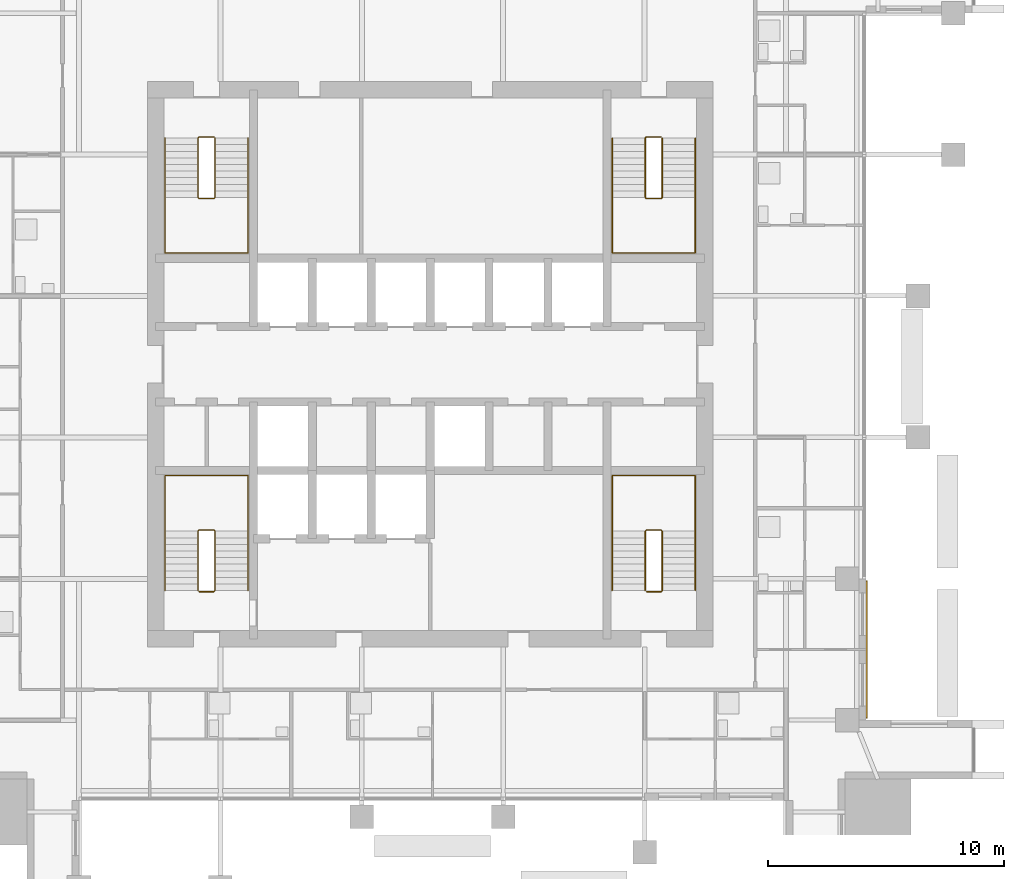
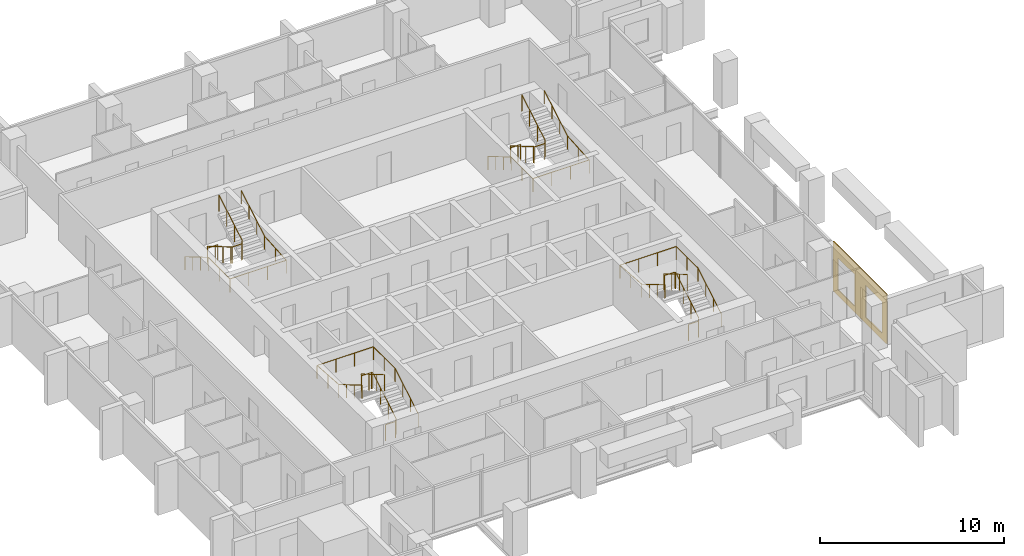
# One storey, part 13 of 14: 8 railings, 1 covering.
"""IFC4 building model written with IfcOpenShell, lengths in metres."""

from ifc_helpers import new_model, si_unit, direction, frame, origin, origin_2d, place, context, subcontext, project, spatial, polyline, circle, outline, extrude, material, layer, layer_set, type_object, element, save


model = new_model("IFC4")

# Units and contexts
model_context = context("Model", 3, precision=1e-05, world=origin(), true_north=direction((0.0, 1.0)))
body_context = subcontext(model_context, "Body", "Model", "MODEL_VIEW")
ifc_project = project(units=[si_unit("LENGTHUNIT", "METRE"), si_unit("AREAUNIT", "SQUARE_METRE"), si_unit("VOLUMEUNIT", "CUBIC_METRE"), si_unit("PLANEANGLEUNIT", "RADIAN"), si_unit("MASSUNIT", "GRAM", prefix="KILO")], contexts=[model_context])

# Site, building, storey
site_placement = place(None, origin())
site = spatial("IfcSite", under=ifc_project, at=site_placement, CompositionType="ELEMENT")
building_placement = place(site_placement, origin())
building = spatial("IfcBuilding", under=site, at=building_placement, Name="Amberfall Residences", CompositionType="ELEMENT")
storey_placement = place(building_placement, frame((0.0, 0.0, 168.10009765625)))
storey = spatial("IfcBuildingStorey", under=building, at=storey_placement, Name="L45", CompositionType="ELEMENT", Elevation=168.10009765625)

# Covering
ifc_material_1 = material(Name="Pale limestone cladding", Category="masonry")
ifc_layer = layer(ifc_material_1, 0.050048828125)
ifc_layer_set = layer_set([ifc_layer], Name="Limestone fascia 50")
covering_type = type_object("IfcCoveringType", Name="Limestone fascia 50", PredefinedType="CLADDING", material=ifc_layer_set)
covering_placement = place(storey_placement, frame((93.0, 30.489990234375, 3.0498046875), z_axis=(-1.0, 0.0, 0.0), x_axis=(0.0, 1.0, 0.0)))
element("IfcCovering", 1, at=covering_placement, inside=storey, type_object=covering_type, Name="Pale limestone cladding L45 E", PredefinedType="CLADDING", context=body_context, shape_type="SweptSolid", body=[
    extrude(outline(polyline([(0.0, 0.0), (5.820068359375, 0.0), (5.820068359375, 3.2998046875), (0.0, 3.2998046875), (0.0, 0.0)]), holes=[polyline([(0.510009765625, 0.7998046875), (2.31005859375, 0.7998046875), (2.31005859375, 2.89990234375), (0.510009765625, 2.89990234375), (0.510009765625, 0.7998046875)]), polyline([(3.510009765625, 0.7998046875), (5.31005859375, 0.7998046875), (5.31005859375, 2.89990234375), (3.510009765625, 2.89990234375), (3.510009765625, 0.7998046875)])]), origin(), (0.0, 0.0, -1.0), 0.050048828125),
])

# Railings
ifc_material_2 = material(Name="Stainless steel 316", Category="steel")
railing_type_1 = type_object("IfcRailingType", Name="Stair guard 1100", PredefinedType="GUARDRAIL", material=ifc_material_2)
railing_1_placement = place(storey_placement, frame((64.699951171875, 35.85009765625, 0.0)))
element("IfcRailing", 2, at=railing_1_placement, inside=storey, type_object=railing_type_1, Name="L45 stair 1 guard", PredefinedType="GUARDRAIL", context=body_context, shape_type="SweptSolid", body=[
    extrude(circle(Radius=0.02392578125, at=origin_2d()), frame((0.0, 0.0, 1.076171875), z_axis=(1.0, 0.0, 0.0), x_axis=(0.0, 1.0, 0.0)), (0.0, 0.0, 1.0), 0.625),
    extrude(circle(Radius=0.02392578125, at=origin_2d()), frame((0.625, 0.0, 1.076171875), z_axis=(0.279159454702, 0.277797701265, 0.919183570361), x_axis=(-0.705375805398, 0.708833529934, 0.0)), (0.0, 0.0, 1.0), 0.17919921875),
    extrude(circle(Radius=0.02392578125, at=origin_2d()), frame((0.675048828125, 0.0498046875, 1.24072265625), z_axis=(0.0, 0.86152411907, 0.507716645641), x_axis=(-1.0, 0.0, 0.0)), (0.0, 0.0, 1.0), 2.925048828125),
    extrude(circle(Radius=0.02392578125, at=origin_2d()), frame((0.675048828125, 2.56982421875, 2.72607421875), z_axis=(-0.707106781187, 0.707106781187, 0.0), x_axis=(-0.707106781187, -0.707106781187, 0.0)), (0.0, 0.0, 1.0), 0.07080078125),
    extrude(circle(Radius=0.02392578125, at=origin_2d()), frame((0.625, 2.619873046875, 2.72607421875), z_axis=(-1.0, 0.0, 0.0), x_axis=(0.0, -1.0, 0.0)), (0.0, 0.0, 1.0), 0.625),
    extrude(circle(Radius=0.02392578125, at=origin_2d()), frame((0.0, 2.619873046875, 2.72607421875), z_axis=(-0.278705021027, -0.278705021027, 0.919046801044), x_axis=(0.707106781187, -0.707106781187, 0.0)), (0.0, 0.0, 1.0), 0.1796875),
    extrude(circle(Radius=0.02392578125, at=origin_2d()), frame((-0.050048828125, 2.56982421875, 2.89111328125), z_axis=(0.0, -0.861560626758, 0.507654692109), x_axis=(1.0, 0.0, 0.0)), (0.0, 0.0, 1.0), 2.925048828125),
    extrude(circle(Radius=0.02099609375, at=origin_2d()), origin(), (0.0, 0.0, 1.0), 1.052001953125),
    extrude(circle(Radius=0.02099609375, at=origin_2d()), frame((0.625, 0.0, 0.0)), (0.0, 0.0, 1.0), 1.052001953125),
    extrude(circle(Radius=0.02099609375, at=origin_2d()), frame((0.675048828125, 0.0498046875, 0.164794921875)), (0.0, 0.0, 1.0), 1.052001953125),
    extrude(circle(Radius=0.02099609375, at=origin_2d()), frame((0.675048828125, 0.889892578125, 0.659912109375)), (0.0, 0.0, 1.0), 1.052001953125),
    extrude(circle(Radius=0.02099609375, at=origin_2d()), frame((0.675048828125, 1.729736328125, 1.15478515625)), (0.0, 0.0, 1.0), 1.052001953125),
    extrude(circle(Radius=0.02099609375, at=origin_2d()), frame((0.675048828125, 2.56982421875, 1.64990234375)), (0.0, 0.0, 1.0), 1.052001953125),
    extrude(circle(Radius=0.02099609375, at=origin_2d()), frame((0.625, 2.619873046875, 1.64990234375)), (0.0, 0.0, 1.0), 1.052001953125),
    extrude(circle(Radius=0.02099609375, at=origin_2d()), frame((0.0, 2.619873046875, 1.64990234375)), (0.0, 0.0, 1.0), 1.052001953125),
    extrude(circle(Radius=0.02099609375, at=origin_2d()), frame((-0.050048828125, 2.56982421875, 1.81494140625)), (0.0, 0.0, 1.0), 1.052001953125),
    extrude(circle(Radius=0.02099609375, at=origin_2d()), frame((-0.050048828125, 1.729736328125, 2.309814453125)), (0.0, 0.0, 1.0), 1.052001953125),
    extrude(circle(Radius=0.02099609375, at=origin_2d()), frame((-0.050048828125, 0.889892578125, 2.804931640625)), (0.0, 0.0, 1.0), 1.052001953125),
    extrude(circle(Radius=0.02099609375, at=origin_2d()), frame((-0.050048828125, 0.0498046875, 3.2998046875)), (0.0, 0.0, 1.0), 1.052001953125),
])
railing_2_placement = place(storey_placement, frame((83.675048828125, 35.85009765625, 0.0)))
element("IfcRailing", 3, at=railing_2_placement, inside=storey, type_object=railing_type_1, Name="L45 stair 2 guard", PredefinedType="GUARDRAIL", context=body_context, shape_type="SweptSolid", body=[
    extrude(circle(Radius=0.02392578125, at=origin_2d()), frame((0.0, 0.0, 1.076171875), z_axis=(1.0, 0.0, 0.0), x_axis=(0.0, 1.0, 0.0)), (0.0, 0.0, 1.0), 0.625),
    extrude(circle(Radius=0.02392578125, at=origin_2d()), frame((0.625, 0.0, 1.076171875), z_axis=(0.279159454702, 0.277797701265, 0.919183570361), x_axis=(-0.705375805398, 0.708833529934, 0.0)), (0.0, 0.0, 1.0), 0.17919921875),
    extrude(circle(Radius=0.02392578125, at=origin_2d()), frame((0.675048828125, 0.0498046875, 1.24072265625), z_axis=(0.0, 0.86152411907, 0.507716645641), x_axis=(-1.0, 0.0, 0.0)), (0.0, 0.0, 1.0), 2.925048828125),
    extrude(circle(Radius=0.02392578125, at=origin_2d()), frame((0.675048828125, 2.56982421875, 2.72607421875), z_axis=(-0.707106781187, 0.707106781187, 0.0), x_axis=(-0.707106781187, -0.707106781187, 0.0)), (0.0, 0.0, 1.0), 0.07080078125),
    extrude(circle(Radius=0.02392578125, at=origin_2d()), frame((0.625, 2.619873046875, 2.72607421875), z_axis=(-1.0, 0.0, 0.0), x_axis=(0.0, -1.0, 0.0)), (0.0, 0.0, 1.0), 0.625),
    extrude(circle(Radius=0.02392578125, at=origin_2d()), frame((0.0, 2.619873046875, 2.72607421875), z_axis=(-0.278705021027, -0.278705021027, 0.919046801044), x_axis=(0.707106781187, -0.707106781187, 0.0)), (0.0, 0.0, 1.0), 0.1796875),
    extrude(circle(Radius=0.02392578125, at=origin_2d()), frame((-0.050048828125, 2.56982421875, 2.89111328125), z_axis=(0.0, -0.861560626758, 0.507654692109), x_axis=(1.0, 0.0, 0.0)), (0.0, 0.0, 1.0), 2.925048828125),
    extrude(circle(Radius=0.02099609375, at=origin_2d()), origin(), (0.0, 0.0, 1.0), 1.052001953125),
    extrude(circle(Radius=0.02099609375, at=origin_2d()), frame((0.625, 0.0, 0.0)), (0.0, 0.0, 1.0), 1.052001953125),
    extrude(circle(Radius=0.02099609375, at=origin_2d()), frame((0.675048828125, 0.0498046875, 0.164794921875)), (0.0, 0.0, 1.0), 1.052001953125),
    extrude(circle(Radius=0.02099609375, at=origin_2d()), frame((0.675048828125, 0.889892578125, 0.659912109375)), (0.0, 0.0, 1.0), 1.052001953125),
    extrude(circle(Radius=0.02099609375, at=origin_2d()), frame((0.675048828125, 1.729736328125, 1.15478515625)), (0.0, 0.0, 1.0), 1.052001953125),
    extrude(circle(Radius=0.02099609375, at=origin_2d()), frame((0.675048828125, 2.56982421875, 1.64990234375)), (0.0, 0.0, 1.0), 1.052001953125),
    extrude(circle(Radius=0.02099609375, at=origin_2d()), frame((0.625, 2.619873046875, 1.64990234375)), (0.0, 0.0, 1.0), 1.052001953125),
    extrude(circle(Radius=0.02099609375, at=origin_2d()), frame((0.0, 2.619873046875, 1.64990234375)), (0.0, 0.0, 1.0), 1.052001953125),
    extrude(circle(Radius=0.02099609375, at=origin_2d()), frame((-0.050048828125, 2.56982421875, 1.81494140625)), (0.0, 0.0, 1.0), 1.052001953125),
    extrude(circle(Radius=0.02099609375, at=origin_2d()), frame((-0.050048828125, 1.729736328125, 2.309814453125)), (0.0, 0.0, 1.0), 1.052001953125),
    extrude(circle(Radius=0.02099609375, at=origin_2d()), frame((-0.050048828125, 0.889892578125, 2.804931640625)), (0.0, 0.0, 1.0), 1.052001953125),
    extrude(circle(Radius=0.02099609375, at=origin_2d()), frame((-0.050048828125, 0.0498046875, 3.2998046875)), (0.0, 0.0, 1.0), 1.052001953125),
])
railing_3_placement = place(storey_placement, frame((84.300048828125, 55.14990234375, 0.0)))
element("IfcRailing", 4, at=railing_3_placement, inside=storey, type_object=railing_type_1, Name="L45 stair 3 guard", PredefinedType="GUARDRAIL", context=body_context, shape_type="SweptSolid", body=[
    extrude(circle(Radius=0.02392578125, at=origin_2d()), frame((0.0, 0.0, 1.076171875), z_axis=(-1.0, 0.0, 0.0), x_axis=(0.0, -1.0, 0.0)), (0.0, 0.0, 1.0), 0.625),
    extrude(circle(Radius=0.02392578125, at=origin_2d()), frame((-0.625, 0.0, 1.076171875), z_axis=(-0.279159454702, -0.277797701265, 0.919183570361), x_axis=(0.705375805398, -0.708833529934, 0.0)), (0.0, 0.0, 1.0), 0.17919921875),
    extrude(circle(Radius=0.02392578125, at=origin_2d()), frame((-0.675048828125, -0.0498046875, 1.24072265625), z_axis=(0.0, -0.86152411907, 0.507716645641), x_axis=(1.0, 0.0, 0.0)), (0.0, 0.0, 1.0), 2.925048828125),
    extrude(circle(Radius=0.02392578125, at=origin_2d()), frame((-0.675048828125, -2.56982421875, 2.72607421875), z_axis=(0.707106781187, -0.707106781187, 0.0), x_axis=(0.707106781187, 0.707106781187, 0.0)), (0.0, 0.0, 1.0), 0.07080078125),
    extrude(circle(Radius=0.02392578125, at=origin_2d()), frame((-0.625, -2.619873046875, 2.72607421875), z_axis=(1.0, 0.0, 0.0), x_axis=(0.0, 1.0, 0.0)), (0.0, 0.0, 1.0), 0.625),
    extrude(circle(Radius=0.02392578125, at=origin_2d()), frame((0.0, -2.619873046875, 2.72607421875), z_axis=(0.278705021027, 0.278705021027, 0.919046801044), x_axis=(-0.707106781187, 0.707106781187, 0.0)), (0.0, 0.0, 1.0), 0.1796875),
    extrude(circle(Radius=0.02392578125, at=origin_2d()), frame((0.050048828125, -2.56982421875, 2.89111328125), z_axis=(0.0, 0.861560626758, 0.507654692109), x_axis=(-1.0, 0.0, 0.0)), (0.0, 0.0, 1.0), 2.925048828125),
    extrude(circle(Radius=0.02099609375, at=origin_2d()), origin(), (0.0, 0.0, 1.0), 1.052001953125),
    extrude(circle(Radius=0.02099609375, at=origin_2d()), frame((-0.625, 0.0, 0.0)), (0.0, 0.0, 1.0), 1.052001953125),
    extrude(circle(Radius=0.02099609375, at=origin_2d()), frame((-0.675048828125, -0.0498046875, 0.164794921875)), (0.0, 0.0, 1.0), 1.052001953125),
    extrude(circle(Radius=0.02099609375, at=origin_2d()), frame((-0.675048828125, -0.889892578125, 0.659912109375)), (0.0, 0.0, 1.0), 1.052001953125),
    extrude(circle(Radius=0.02099609375, at=origin_2d()), frame((-0.675048828125, -1.729736328125, 1.15478515625)), (0.0, 0.0, 1.0), 1.052001953125),
    extrude(circle(Radius=0.02099609375, at=origin_2d()), frame((-0.675048828125, -2.56982421875, 1.64990234375)), (0.0, 0.0, 1.0), 1.052001953125),
    extrude(circle(Radius=0.02099609375, at=origin_2d()), frame((-0.625, -2.619873046875, 1.64990234375)), (0.0, 0.0, 1.0), 1.052001953125),
    extrude(circle(Radius=0.02099609375, at=origin_2d()), frame((0.0, -2.619873046875, 1.64990234375)), (0.0, 0.0, 1.0), 1.052001953125),
    extrude(circle(Radius=0.02099609375, at=origin_2d()), frame((0.050048828125, -2.56982421875, 1.81494140625)), (0.0, 0.0, 1.0), 1.052001953125),
    extrude(circle(Radius=0.02099609375, at=origin_2d()), frame((0.050048828125, -1.729736328125, 2.309814453125)), (0.0, 0.0, 1.0), 1.052001953125),
    extrude(circle(Radius=0.02099609375, at=origin_2d()), frame((0.050048828125, -0.889892578125, 2.804931640625)), (0.0, 0.0, 1.0), 1.052001953125),
    extrude(circle(Radius=0.02099609375, at=origin_2d()), frame((0.050048828125, -0.0498046875, 3.2998046875)), (0.0, 0.0, 1.0), 1.052001953125),
])
railing_4_placement = place(storey_placement, frame((65.324951171875, 55.14990234375, 0.0)))
element("IfcRailing", 5, at=railing_4_placement, inside=storey, type_object=railing_type_1, Name="L45 stair 4 guard", PredefinedType="GUARDRAIL", context=body_context, shape_type="SweptSolid", body=[
    extrude(circle(Radius=0.02392578125, at=origin_2d()), frame((0.0, 0.0, 1.076171875), z_axis=(-1.0, 0.0, 0.0), x_axis=(0.0, -1.0, 0.0)), (0.0, 0.0, 1.0), 0.625),
    extrude(circle(Radius=0.02392578125, at=origin_2d()), frame((-0.625, 0.0, 1.076171875), z_axis=(-0.279159454702, -0.277797701265, 0.919183570361), x_axis=(0.705375805398, -0.708833529934, 0.0)), (0.0, 0.0, 1.0), 0.17919921875),
    extrude(circle(Radius=0.02392578125, at=origin_2d()), frame((-0.675048828125, -0.0498046875, 1.24072265625), z_axis=(0.0, -0.86152411907, 0.507716645641), x_axis=(1.0, 0.0, 0.0)), (0.0, 0.0, 1.0), 2.925048828125),
    extrude(circle(Radius=0.02392578125, at=origin_2d()), frame((-0.675048828125, -2.56982421875, 2.72607421875), z_axis=(0.707106781187, -0.707106781187, 0.0), x_axis=(0.707106781187, 0.707106781187, 0.0)), (0.0, 0.0, 1.0), 0.07080078125),
    extrude(circle(Radius=0.02392578125, at=origin_2d()), frame((-0.625, -2.619873046875, 2.72607421875), z_axis=(1.0, 0.0, 0.0), x_axis=(0.0, 1.0, 0.0)), (0.0, 0.0, 1.0), 0.625),
    extrude(circle(Radius=0.02392578125, at=origin_2d()), frame((0.0, -2.619873046875, 2.72607421875), z_axis=(0.278705021027, 0.278705021027, 0.919046801044), x_axis=(-0.707106781187, 0.707106781187, 0.0)), (0.0, 0.0, 1.0), 0.1796875),
    extrude(circle(Radius=0.02392578125, at=origin_2d()), frame((0.050048828125, -2.56982421875, 2.89111328125), z_axis=(0.0, 0.861560626758, 0.507654692109), x_axis=(-1.0, 0.0, 0.0)), (0.0, 0.0, 1.0), 2.925048828125),
    extrude(circle(Radius=0.02099609375, at=origin_2d()), origin(), (0.0, 0.0, 1.0), 1.052001953125),
    extrude(circle(Radius=0.02099609375, at=origin_2d()), frame((-0.625, 0.0, 0.0)), (0.0, 0.0, 1.0), 1.052001953125),
    extrude(circle(Radius=0.02099609375, at=origin_2d()), frame((-0.675048828125, -0.0498046875, 0.164794921875)), (0.0, 0.0, 1.0), 1.052001953125),
    extrude(circle(Radius=0.02099609375, at=origin_2d()), frame((-0.675048828125, -0.889892578125, 0.659912109375)), (0.0, 0.0, 1.0), 1.052001953125),
    extrude(circle(Radius=0.02099609375, at=origin_2d()), frame((-0.675048828125, -1.729736328125, 1.15478515625)), (0.0, 0.0, 1.0), 1.052001953125),
    extrude(circle(Radius=0.02099609375, at=origin_2d()), frame((-0.675048828125, -2.56982421875, 1.64990234375)), (0.0, 0.0, 1.0), 1.052001953125),
    extrude(circle(Radius=0.02099609375, at=origin_2d()), frame((-0.625, -2.619873046875, 1.64990234375)), (0.0, 0.0, 1.0), 1.052001953125),
    extrude(circle(Radius=0.02099609375, at=origin_2d()), frame((0.0, -2.619873046875, 1.64990234375)), (0.0, 0.0, 1.0), 1.052001953125),
    extrude(circle(Radius=0.02099609375, at=origin_2d()), frame((0.050048828125, -2.56982421875, 1.81494140625)), (0.0, 0.0, 1.0), 1.052001953125),
    extrude(circle(Radius=0.02099609375, at=origin_2d()), frame((0.050048828125, -1.729736328125, 2.309814453125)), (0.0, 0.0, 1.0), 1.052001953125),
    extrude(circle(Radius=0.02099609375, at=origin_2d()), frame((0.050048828125, -0.889892578125, 2.804931640625)), (0.0, 0.0, 1.0), 1.052001953125),
    extrude(circle(Radius=0.02099609375, at=origin_2d()), frame((0.050048828125, -0.0498046875, 3.2998046875)), (0.0, 0.0, 1.0), 1.052001953125),
])
railing_type_2 = type_object("IfcRailingType", Name="Stair handrail 900", PredefinedType="HANDRAIL", material=ifc_material_2)
railing_5_placement = place(storey_placement, frame((66.77490234375, 35.89990234375, 0.164794921875)))
element("IfcRailing", 6, at=railing_5_placement, inside=storey, type_object=railing_type_2, Name="L45 stair 1 handrail", PredefinedType="HANDRAIL", context=body_context, shape_type="SweptSolid", body=[
    extrude(circle(Radius=0.02392578125, at=origin_2d()), frame((0.0, 0.0, 0.8759765625), z_axis=(0.0, 0.86152411907, 0.507716645641), x_axis=(-1.0, 0.0, 0.0)), (0.0, 0.0, 1.0), 2.925048828125),
    extrude(circle(Radius=0.02392578125, at=origin_2d()), frame((0.0, 2.52001953125, 2.36083984375), z_axis=(0.0, 1.0, 0.0), x_axis=(-1.0, 0.0, 0.0)), (0.0, 0.0, 1.0), 2.35498046875),
    extrude(circle(Radius=0.02392578125, at=origin_2d()), frame((0.0, 4.875, 2.36083984375), z_axis=(-1.0, 0.0, 0.0), x_axis=(0.0, -1.0, 0.0)), (0.0, 0.0, 1.0), 3.52490234375),
    extrude(circle(Radius=0.02392578125, at=origin_2d()), frame((-3.52490234375, 4.875, 2.36083984375), z_axis=(0.0, -0.997553344917, 0.069909398835), x_axis=(1.0, 0.0, 0.0)), (0.0, 0.0, 1.0), 2.36083984375),
    extrude(circle(Radius=0.02392578125, at=origin_2d()), frame((-3.52490234375, 2.52001953125, 2.52587890625), z_axis=(0.0, -0.861560626758, 0.507654692109), x_axis=(1.0, 0.0, 0.0)), (0.0, 0.0, 1.0), 2.925048828125),
    extrude(circle(Radius=0.02099609375, at=origin_2d()), origin(), (0.0, 0.0, 1.0), 0.851806640625),
    extrude(circle(Radius=0.02099609375, at=origin_2d()), frame((0.0, 0.840087890625, 0.4951171875)), (0.0, 0.0, 1.0), 0.851806640625),
    extrude(circle(Radius=0.02099609375, at=origin_2d()), frame((0.0, 1.679931640625, 0.989990234375)), (0.0, 0.0, 1.0), 0.851806640625),
    extrude(circle(Radius=0.02099609375, at=origin_2d()), frame((0.0, 2.52001953125, 1.485107421875)), (0.0, 0.0, 1.0), 0.851806640625),
    extrude(circle(Radius=0.02099609375, at=origin_2d()), frame((0.0, 3.697509765625, 1.485107421875)), (0.0, 0.0, 1.0), 0.851806640625),
    extrude(circle(Radius=0.02099609375, at=origin_2d()), frame((0.0, 4.875, 1.485107421875)), (0.0, 0.0, 1.0), 0.851806640625),
    extrude(circle(Radius=0.02099609375, at=origin_2d()), frame((-1.175048828125, 4.875, 1.485107421875)), (0.0, 0.0, 1.0), 0.851806640625),
    extrude(circle(Radius=0.02099609375, at=origin_2d()), frame((-2.349853515625, 4.875, 1.485107421875)), (0.0, 0.0, 1.0), 0.851806640625),
    extrude(circle(Radius=0.02099609375, at=origin_2d()), frame((-3.52490234375, 4.875, 1.485107421875)), (0.0, 0.0, 1.0), 0.851806640625),
    extrude(circle(Radius=0.02099609375, at=origin_2d()), frame((-3.52490234375, 3.697509765625, 1.567626953125)), (0.0, 0.0, 1.0), 0.851806640625),
    extrude(circle(Radius=0.02099609375, at=origin_2d()), frame((-3.52490234375, 2.52001953125, 1.650146484375)), (0.0, 0.0, 1.0), 0.851806640625),
    extrude(circle(Radius=0.02099609375, at=origin_2d()), frame((-3.52490234375, 1.679931640625, 2.14501953125)), (0.0, 0.0, 1.0), 0.851806640625),
    extrude(circle(Radius=0.02099609375, at=origin_2d()), frame((-3.52490234375, 0.840087890625, 2.64013671875)), (0.0, 0.0, 1.0), 0.851806640625),
    extrude(circle(Radius=0.02099609375, at=origin_2d()), frame((-3.52490234375, 0.0, 3.135009765625)), (0.0, 0.0, 1.0), 0.851806640625),
])
railing_6_placement = place(storey_placement, frame((85.75, 35.89990234375, 0.164794921875)))
element("IfcRailing", 7, at=railing_6_placement, inside=storey, type_object=railing_type_2, Name="L45 stair 2 handrail", PredefinedType="HANDRAIL", context=body_context, shape_type="SweptSolid", body=[
    extrude(circle(Radius=0.02392578125, at=origin_2d()), frame((0.0, 0.0, 0.8759765625), z_axis=(0.0, 0.86152411907, 0.507716645641), x_axis=(-1.0, 0.0, 0.0)), (0.0, 0.0, 1.0), 2.925048828125),
    extrude(circle(Radius=0.02392578125, at=origin_2d()), frame((0.0, 2.52001953125, 2.36083984375), z_axis=(0.0, 1.0, 0.0), x_axis=(-1.0, 0.0, 0.0)), (0.0, 0.0, 1.0), 2.35498046875),
    extrude(circle(Radius=0.02392578125, at=origin_2d()), frame((0.0, 4.875, 2.36083984375), z_axis=(-1.0, 0.0, 0.0), x_axis=(0.0, -1.0, 0.0)), (0.0, 0.0, 1.0), 3.52490234375),
    extrude(circle(Radius=0.02392578125, at=origin_2d()), frame((-3.52490234375, 4.875, 2.36083984375), z_axis=(0.0, -0.997553344917, 0.069909398835), x_axis=(1.0, 0.0, 0.0)), (0.0, 0.0, 1.0), 2.36083984375),
    extrude(circle(Radius=0.02392578125, at=origin_2d()), frame((-3.52490234375, 2.52001953125, 2.52587890625), z_axis=(0.0, -0.861560626758, 0.507654692109), x_axis=(1.0, 0.0, 0.0)), (0.0, 0.0, 1.0), 2.925048828125),
    extrude(circle(Radius=0.02099609375, at=origin_2d()), origin(), (0.0, 0.0, 1.0), 0.851806640625),
    extrude(circle(Radius=0.02099609375, at=origin_2d()), frame((0.0, 0.840087890625, 0.4951171875)), (0.0, 0.0, 1.0), 0.851806640625),
    extrude(circle(Radius=0.02099609375, at=origin_2d()), frame((0.0, 1.679931640625, 0.989990234375)), (0.0, 0.0, 1.0), 0.851806640625),
    extrude(circle(Radius=0.02099609375, at=origin_2d()), frame((0.0, 2.52001953125, 1.485107421875)), (0.0, 0.0, 1.0), 0.851806640625),
    extrude(circle(Radius=0.02099609375, at=origin_2d()), frame((0.0, 3.697509765625, 1.485107421875)), (0.0, 0.0, 1.0), 0.851806640625),
    extrude(circle(Radius=0.02099609375, at=origin_2d()), frame((0.0, 4.875, 1.485107421875)), (0.0, 0.0, 1.0), 0.851806640625),
    extrude(circle(Radius=0.02099609375, at=origin_2d()), frame((-1.175048828125, 4.875, 1.485107421875)), (0.0, 0.0, 1.0), 0.851806640625),
    extrude(circle(Radius=0.02099609375, at=origin_2d()), frame((-2.349853515625, 4.875, 1.485107421875)), (0.0, 0.0, 1.0), 0.851806640625),
    extrude(circle(Radius=0.02099609375, at=origin_2d()), frame((-3.52490234375, 4.875, 1.485107421875)), (0.0, 0.0, 1.0), 0.851806640625),
    extrude(circle(Radius=0.02099609375, at=origin_2d()), frame((-3.52490234375, 3.697509765625, 1.567626953125)), (0.0, 0.0, 1.0), 0.851806640625),
    extrude(circle(Radius=0.02099609375, at=origin_2d()), frame((-3.52490234375, 2.52001953125, 1.650146484375)), (0.0, 0.0, 1.0), 0.851806640625),
    extrude(circle(Radius=0.02099609375, at=origin_2d()), frame((-3.52490234375, 1.679931640625, 2.14501953125)), (0.0, 0.0, 1.0), 0.851806640625),
    extrude(circle(Radius=0.02099609375, at=origin_2d()), frame((-3.52490234375, 0.840087890625, 2.64013671875)), (0.0, 0.0, 1.0), 0.851806640625),
    extrude(circle(Radius=0.02099609375, at=origin_2d()), frame((-3.52490234375, 0.0, 3.135009765625)), (0.0, 0.0, 1.0), 0.851806640625),
])
railing_7_placement = place(storey_placement, frame((82.22509765625, 55.10009765625, 0.164794921875)))
element("IfcRailing", 8, at=railing_7_placement, inside=storey, type_object=railing_type_2, Name="L45 stair 3 handrail", PredefinedType="HANDRAIL", context=body_context, shape_type="SweptSolid", body=[
    extrude(circle(Radius=0.02392578125, at=origin_2d()), frame((0.0, 0.0, 0.8759765625), z_axis=(0.0, -0.86152411907, 0.507716645641), x_axis=(1.0, 0.0, 0.0)), (0.0, 0.0, 1.0), 2.925048828125),
    extrude(circle(Radius=0.02392578125, at=origin_2d()), frame((0.0, -2.52001953125, 2.36083984375), z_axis=(0.0, -1.0, 0.0), x_axis=(1.0, 0.0, 0.0)), (0.0, 0.0, 1.0), 2.35498046875),
    extrude(circle(Radius=0.02392578125, at=origin_2d()), frame((0.0, -4.875, 2.36083984375), z_axis=(1.0, 0.0, 0.0), x_axis=(0.0, 1.0, 0.0)), (0.0, 0.0, 1.0), 3.52490234375),
    extrude(circle(Radius=0.02392578125, at=origin_2d()), frame((3.52490234375, -4.875, 2.36083984375), z_axis=(0.0, 0.997553344917, 0.069909398835), x_axis=(-1.0, 0.0, 0.0)), (0.0, 0.0, 1.0), 2.36083984375),
    extrude(circle(Radius=0.02392578125, at=origin_2d()), frame((3.52490234375, -2.52001953125, 2.52587890625), z_axis=(0.0, 0.861560626758, 0.507654692109), x_axis=(-1.0, 0.0, 0.0)), (0.0, 0.0, 1.0), 2.925048828125),
    extrude(circle(Radius=0.02099609375, at=origin_2d()), origin(), (0.0, 0.0, 1.0), 0.851806640625),
    extrude(circle(Radius=0.02099609375, at=origin_2d()), frame((0.0, -0.840087890625, 0.4951171875)), (0.0, 0.0, 1.0), 0.851806640625),
    extrude(circle(Radius=0.02099609375, at=origin_2d()), frame((0.0, -1.679931640625, 0.989990234375)), (0.0, 0.0, 1.0), 0.851806640625),
    extrude(circle(Radius=0.02099609375, at=origin_2d()), frame((0.0, -2.52001953125, 1.485107421875)), (0.0, 0.0, 1.0), 0.851806640625),
    extrude(circle(Radius=0.02099609375, at=origin_2d()), frame((0.0, -3.697509765625, 1.485107421875)), (0.0, 0.0, 1.0), 0.851806640625),
    extrude(circle(Radius=0.02099609375, at=origin_2d()), frame((0.0, -4.875, 1.485107421875)), (0.0, 0.0, 1.0), 0.851806640625),
    extrude(circle(Radius=0.02099609375, at=origin_2d()), frame((1.175048828125, -4.875, 1.485107421875)), (0.0, 0.0, 1.0), 0.851806640625),
    extrude(circle(Radius=0.02099609375, at=origin_2d()), frame((2.349853515625, -4.875, 1.485107421875)), (0.0, 0.0, 1.0), 0.851806640625),
    extrude(circle(Radius=0.02099609375, at=origin_2d()), frame((3.52490234375, -4.875, 1.485107421875)), (0.0, 0.0, 1.0), 0.851806640625),
    extrude(circle(Radius=0.02099609375, at=origin_2d()), frame((3.52490234375, -3.697509765625, 1.567626953125)), (0.0, 0.0, 1.0), 0.851806640625),
    extrude(circle(Radius=0.02099609375, at=origin_2d()), frame((3.52490234375, -2.52001953125, 1.650146484375)), (0.0, 0.0, 1.0), 0.851806640625),
    extrude(circle(Radius=0.02099609375, at=origin_2d()), frame((3.52490234375, -1.679931640625, 2.14501953125)), (0.0, 0.0, 1.0), 0.851806640625),
    extrude(circle(Radius=0.02099609375, at=origin_2d()), frame((3.52490234375, -0.840087890625, 2.64013671875)), (0.0, 0.0, 1.0), 0.851806640625),
    extrude(circle(Radius=0.02099609375, at=origin_2d()), frame((3.52490234375, 0.0, 3.135009765625)), (0.0, 0.0, 1.0), 0.851806640625),
])
railing_8_placement = place(storey_placement, frame((63.25, 55.10009765625, 0.164794921875)))
element("IfcRailing", 9, at=railing_8_placement, inside=storey, type_object=railing_type_2, Name="L45 stair 4 handrail", PredefinedType="HANDRAIL", context=body_context, shape_type="SweptSolid", body=[
    extrude(circle(Radius=0.02392578125, at=origin_2d()), frame((0.0, 0.0, 0.8759765625), z_axis=(0.0, -0.86152411907, 0.507716645641), x_axis=(1.0, 0.0, 0.0)), (0.0, 0.0, 1.0), 2.925048828125),
    extrude(circle(Radius=0.02392578125, at=origin_2d()), frame((0.0, -2.52001953125, 2.36083984375), z_axis=(0.0, -1.0, 0.0), x_axis=(1.0, 0.0, 0.0)), (0.0, 0.0, 1.0), 2.35498046875),
    extrude(circle(Radius=0.02392578125, at=origin_2d()), frame((0.0, -4.875, 2.36083984375), z_axis=(1.0, 0.0, 0.0), x_axis=(0.0, 1.0, 0.0)), (0.0, 0.0, 1.0), 3.52490234375),
    extrude(circle(Radius=0.02392578125, at=origin_2d()), frame((3.52490234375, -4.875, 2.36083984375), z_axis=(0.0, 0.997553344917, 0.069909398835), x_axis=(-1.0, 0.0, 0.0)), (0.0, 0.0, 1.0), 2.36083984375),
    extrude(circle(Radius=0.02392578125, at=origin_2d()), frame((3.52490234375, -2.52001953125, 2.52587890625), z_axis=(0.0, 0.861560626758, 0.507654692109), x_axis=(-1.0, 0.0, 0.0)), (0.0, 0.0, 1.0), 2.925048828125),
    extrude(circle(Radius=0.02099609375, at=origin_2d()), origin(), (0.0, 0.0, 1.0), 0.851806640625),
    extrude(circle(Radius=0.02099609375, at=origin_2d()), frame((0.0, -0.840087890625, 0.4951171875)), (0.0, 0.0, 1.0), 0.851806640625),
    extrude(circle(Radius=0.02099609375, at=origin_2d()), frame((0.0, -1.679931640625, 0.989990234375)), (0.0, 0.0, 1.0), 0.851806640625),
    extrude(circle(Radius=0.02099609375, at=origin_2d()), frame((0.0, -2.52001953125, 1.485107421875)), (0.0, 0.0, 1.0), 0.851806640625),
    extrude(circle(Radius=0.02099609375, at=origin_2d()), frame((0.0, -3.697509765625, 1.485107421875)), (0.0, 0.0, 1.0), 0.851806640625),
    extrude(circle(Radius=0.02099609375, at=origin_2d()), frame((0.0, -4.875, 1.485107421875)), (0.0, 0.0, 1.0), 0.851806640625),
    extrude(circle(Radius=0.02099609375, at=origin_2d()), frame((1.175048828125, -4.875, 1.485107421875)), (0.0, 0.0, 1.0), 0.851806640625),
    extrude(circle(Radius=0.02099609375, at=origin_2d()), frame((2.349853515625, -4.875, 1.485107421875)), (0.0, 0.0, 1.0), 0.851806640625),
    extrude(circle(Radius=0.02099609375, at=origin_2d()), frame((3.52490234375, -4.875, 1.485107421875)), (0.0, 0.0, 1.0), 0.851806640625),
    extrude(circle(Radius=0.02099609375, at=origin_2d()), frame((3.52490234375, -3.697509765625, 1.567626953125)), (0.0, 0.0, 1.0), 0.851806640625),
    extrude(circle(Radius=0.02099609375, at=origin_2d()), frame((3.52490234375, -2.52001953125, 1.650146484375)), (0.0, 0.0, 1.0), 0.851806640625),
    extrude(circle(Radius=0.02099609375, at=origin_2d()), frame((3.52490234375, -1.679931640625, 2.14501953125)), (0.0, 0.0, 1.0), 0.851806640625),
    extrude(circle(Radius=0.02099609375, at=origin_2d()), frame((3.52490234375, -0.840087890625, 2.64013671875)), (0.0, 0.0, 1.0), 0.851806640625),
    extrude(circle(Radius=0.02099609375, at=origin_2d()), frame((3.52490234375, 0.0, 3.135009765625)), (0.0, 0.0, 1.0), 0.851806640625),
])

save(model, "model.ifc")
